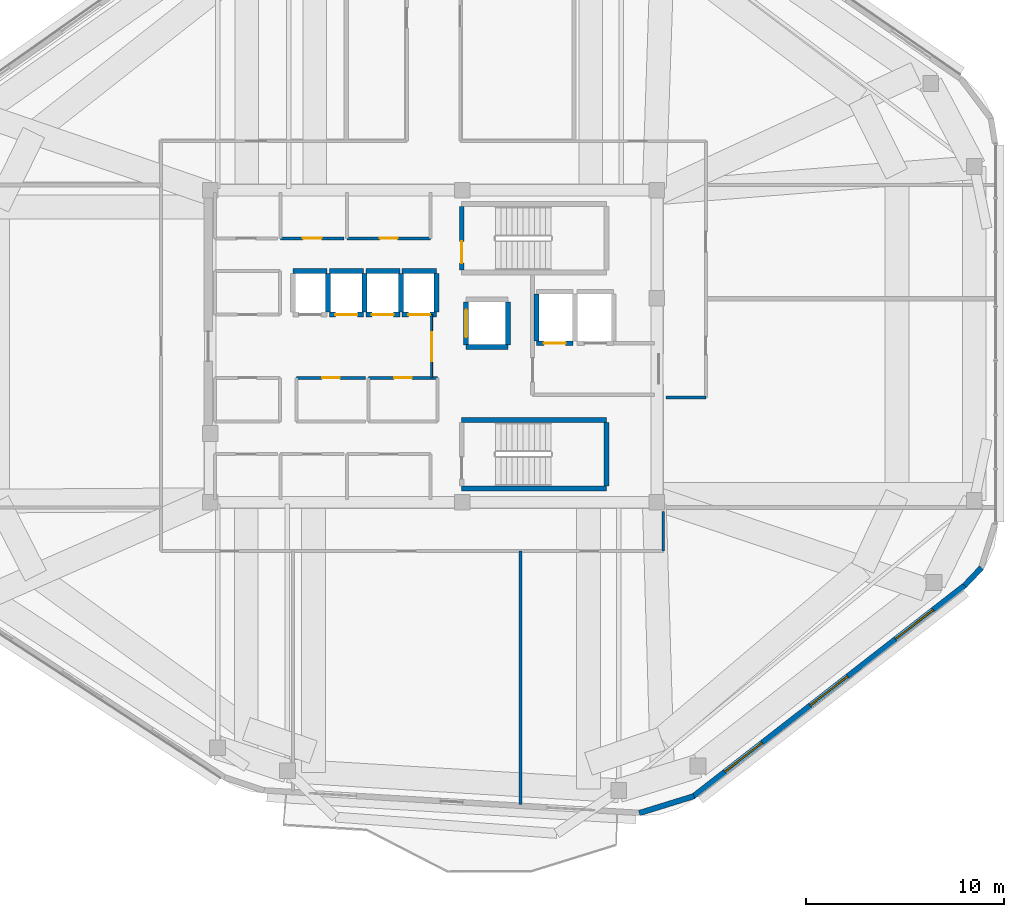
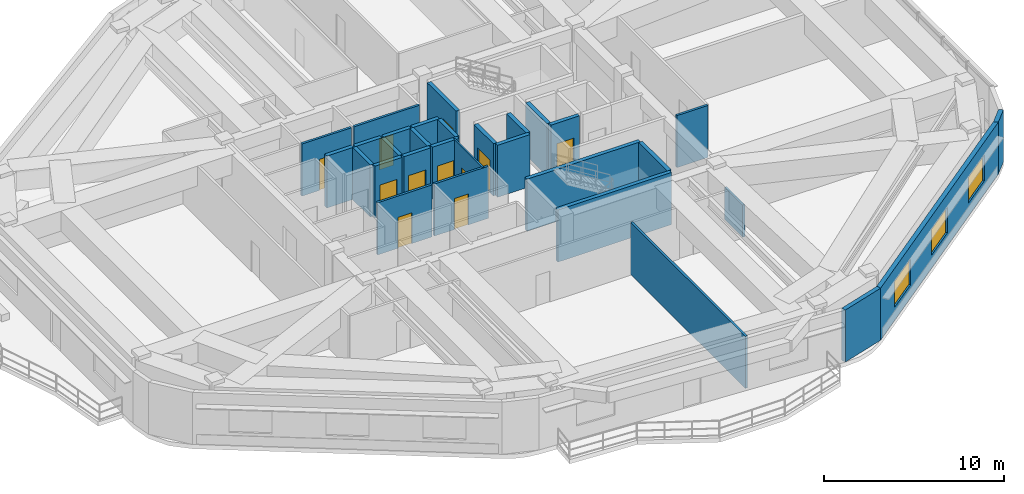
# One storey, part 10 of 15: 31 walls, 11 doors, 3 windows, 14 openings.
"""IFC4 building model written with IfcOpenShell, lengths in metres."""

from ifc_helpers import new_model, si_unit, direction, frame, frame_2d, origin, place, context, subcontext, project, spatial, rectangle, extrude, material, layer, layer_set, type_object, element, fill, save


model = new_model("IFC4")

# Units and contexts
model_context = context("Model", 3, precision=1e-05, world=origin(), true_north=direction((0.0, 1.0)))
body_context = subcontext(model_context, "Body", "Model", "MODEL_VIEW")
ifc_project = project(units=[si_unit("LENGTHUNIT", "METRE"), si_unit("AREAUNIT", "SQUARE_METRE"), si_unit("VOLUMEUNIT", "CUBIC_METRE"), si_unit("PLANEANGLEUNIT", "RADIAN"), si_unit("MASSUNIT", "GRAM", prefix="KILO")], contexts=[model_context])

# Site, building, storey
site_placement = place(None, origin())
site = spatial("IfcSite", under=ifc_project, at=site_placement, CompositionType="ELEMENT")
building_placement = place(site_placement, origin())
building = spatial("IfcBuilding", under=site, at=building_placement, Name="Zulverin Broadcast Headquarters", CompositionType="ELEMENT")
storey_placement = place(building_placement, frame((0.0, 0.0, 270.60009765625)))
storey = spatial("IfcBuildingStorey", under=building, at=storey_placement, Name="L69", CompositionType="ELEMENT", Elevation=270.60009765625)

# Wall, openings, windows
ifc_material_1 = material(Name="Insulated pale-metal clad concrete spandrel C40/50", Category="concrete")
ifc_layer_1 = layer(ifc_material_1, 0.280029296875, Name="Insulated pale-metal clad concrete spandrel C40/50", Category="concrete")
ifc_layer_set_1 = layer_set([ifc_layer_1], Name="Insulated pale-metal clad concrete spandrel C40/50")
wall_type_1 = type_object("IfcWallType", Name="WL-EXT-280", PredefinedType="STANDARD", material=ifc_layer_set_1)
wall_1_placement = place(storey_placement, frame((50.10400390625, 2.458984375, 0.0), z_axis=(0.0, 0.0, 1.0), x_axis=(0.789464857485, 0.613795763097, 0.0)))
wall_1 = element("IfcWall", 1, at=wall_1_placement, inside=storey, type_object=wall_type_1, Name="L69 Pale-Metal Clad Spandrel Wall 2", PredefinedType="STANDARD", context=body_context, shape_type="SweptSolid", body=[
    extrude(rectangle(XDim=17.387451171875, YDim=0.280029296875, at=frame_2d((8.69384765625, 0.0))), origin(), (0.0, 0.0, 1.0), 3.539794921875),
])
opening_1_placement = place(wall_1_placement, frame((2.03125, 0.0, 0.89990234375)))
opening_1 = element("IfcOpeningElement", 2, at=opening_1_placement, cuts=wall_1, Name="Opening W-L69-E21", PredefinedType="OPENING", context=body_context, shape_type="SweptSolid", body=[
    extrude(rectangle(XDim=2.39990234375, YDim=1.75, at=frame_2d((1.199951171875, 0.875))), frame((0.0, 0.14990234375, 0.0), z_axis=(0.0, -1.0, 0.0), x_axis=(1.0, 0.0, 0.0)), (0.0, 0.0, 1.0), 0.300048828125),
])
opening_2_placement = place(wall_1_placement, frame((7.49365234375, 0.0, 0.89990234375)))
opening_2 = element("IfcOpeningElement", 3, at=opening_2_placement, cuts=wall_1, Name="Opening W-L69-E22", PredefinedType="OPENING", context=body_context, shape_type="SweptSolid", body=[
    extrude(rectangle(XDim=2.39990234375, YDim=1.75, at=frame_2d((1.199951171875, 0.875))), frame((0.0, 0.14990234375, 0.0), z_axis=(0.0, -1.0, 0.0), x_axis=(1.0, 0.0, 0.0)), (0.0, 0.0, 1.0), 0.300048828125),
])
opening_3_placement = place(wall_1_placement, frame((12.956298828125, 0.0, 0.89990234375)))
opening_3 = element("IfcOpeningElement", 4, at=opening_3_placement, cuts=wall_1, Name="Opening W-L69-E23", PredefinedType="OPENING", context=body_context, shape_type="SweptSolid", body=[
    extrude(rectangle(XDim=2.39990234375, YDim=1.75, at=frame_2d((1.199951171875, 0.875))), frame((0.0, 0.14990234375, 0.0), z_axis=(0.0, -1.0, 0.0), x_axis=(1.0, 0.0, 0.0)), (0.0, 0.0, 1.0), 0.300048828125),
])
ifc_material_2 = material(Name="Pale anodized aluminium frame with solar-control low-E double glazing", Category="aluminium")
window_type = type_object("IfcWindowType", Name="WIN-RIB-2400", PartitioningType="SINGLE_PANEL", PredefinedType="WINDOW", material=ifc_material_2)
window_1_placement = place(opening_1_placement, origin())
window_1 = element("IfcWindow", 5, at=window_1_placement, inside=storey, type_object=window_type, Name="L69 Ribbon Glazing Window 2 1", OverallHeight=1.75, OverallWidth=2.39990234375, PartitioningType="SINGLE_PANEL", PredefinedType="WINDOW", context=body_context, shape_type="SweptSolid", body=[
    extrude(rectangle(XDim=2.39990234375, YDim=1.75, at=frame_2d((1.199951171875, 0.875))), frame((0.0, 0.030029296875, 0.0), z_axis=(0.0, -1.0, 0.0), x_axis=(1.0, 0.0, 0.0)), (0.0, 0.0, 1.0), 0.06005859375),
])
fill(opening_1, window_1)
window_2_placement = place(opening_2_placement, origin())
window_2 = element("IfcWindow", 6, at=window_2_placement, inside=storey, type_object=window_type, Name="L69 Ribbon Glazing Window 2 2", OverallHeight=1.75, OverallWidth=2.39990234375, PartitioningType="SINGLE_PANEL", PredefinedType="WINDOW", context=body_context, shape_type="SweptSolid", body=[
    extrude(rectangle(XDim=2.39990234375, YDim=1.75, at=frame_2d((1.199951171875, 0.875))), frame((0.0, 0.030029296875, 0.0), z_axis=(0.0, -1.0, 0.0), x_axis=(1.0, 0.0, 0.0)), (0.0, 0.0, 1.0), 0.06005859375),
])
fill(opening_2, window_2)
window_3_placement = place(opening_3_placement, origin())
window_3 = element("IfcWindow", 7, at=window_3_placement, inside=storey, type_object=window_type, Name="L69 Ribbon Glazing Window 2 3", OverallHeight=1.75, OverallWidth=2.39990234375, PartitioningType="SINGLE_PANEL", PredefinedType="WINDOW", context=body_context, shape_type="SweptSolid", body=[
    extrude(rectangle(XDim=2.39990234375, YDim=1.75, at=frame_2d((1.199951171875, 0.875))), frame((0.0, 0.030029296875, 0.0), z_axis=(0.0, -1.0, 0.0), x_axis=(1.0, 0.0, 0.0)), (0.0, 0.0, 1.0), 0.06005859375),
])
fill(opening_3, window_3)

# Walls
wall_2_placement = place(storey_placement, frame((47.38623046875, 1.626220703125, 0.0), z_axis=(0.0, 0.0, 1.0), x_axis=(0.955189316149, 0.29599555793, 0.0)))
element("IfcWall", 8, at=wall_2_placement, inside=storey, type_object=wall_type_1, Name="L69 Wind-Shaped Corner Spandrel Wall 1-1", PredefinedType="STANDARD", context=body_context, shape_type="SweptSolid", body=[
    extrude(rectangle(XDim=2.891845703125, YDim=0.280029296875, at=frame_2d((1.44580078125, 0.0))), origin(), (0.0, 0.0, 1.0), 3.539794921875),
])
wall_3_placement = place(storey_placement, frame((63.81494140625, 13.1171875, 0.0), z_axis=(0.0, 0.0, 1.0), x_axis=(0.687733716128, 0.725963040176, 0.0)))
element("IfcWall", 9, at=wall_3_placement, inside=storey, type_object=wall_type_1, Name="L69 Wind-Shaped Corner Spandrel Wall 2-1", PredefinedType="STANDARD", context=body_context, shape_type="SweptSolid", body=[
    extrude(rectangle(XDim=1.239013671875, YDim=0.280029296875, at=frame_2d((0.61962890625, 0.0))), origin(), (0.0, 0.0, 1.0), 3.539794921875),
])

# Wall, opening, door
ifc_material_3 = material(Name="Fire-rated acoustic laminated glass screen", Category="glass")
ifc_layer_2 = layer(ifc_material_3, 0.10009765625, Name="Fire-rated acoustic laminated glass screen", Category="glass")
ifc_layer_set_2 = layer_set([ifc_layer_2], Name="Fire-rated acoustic laminated glass screen")
wall_type_2 = type_object("IfcWallType", Name="WL-GLAZ-100", PredefinedType="PARTITIONING", material=ifc_layer_set_2)
wall_4_placement = place(storey_placement, frame((36.89990234375, 23.60009765625, 0.0), z_axis=(0.0, 0.0, 1.0), x_axis=(0.0, 1.0, 0.0)))
wall_4 = element("IfcWall", 10, at=wall_4_placement, inside=storey, type_object=wall_type_2, Name="L69 Core Goods & Stair Hall Screen", PredefinedType="PARTITIONING", context=body_context, shape_type="SweptSolid", body=[
    extrude(rectangle(XDim=3.199951171875, YDim=0.10009765625, at=frame_2d((1.60009765625, 0.0))), origin(), (0.0, 0.0, 1.0), 3.539794921875),
])
opening_4_placement = place(wall_4_placement, frame((0.85009765625, 0.0, 0.0)))
opening_4 = element("IfcOpeningElement", 11, at=opening_4_placement, cuts=wall_4, Name="Opening D-L69-CL3", PredefinedType="OPENING", context=body_context, shape_type="SweptSolid", body=[
    extrude(rectangle(XDim=1.449951171875, YDim=2.1201171875, at=frame_2d((0.72509765625, 1.06005859375))), frame((0.0, 0.06005859375, 0.0), z_axis=(0.0, -1.0, 0.0), x_axis=(1.0, 0.0, 0.0)), (0.0, 0.0, 1.0), 0.1201171875),
])
ifc_material_4 = material(Name="Fire-rated acoustic glazed double leaf", Category="glass")
door_type_1 = type_object("IfcDoorType", Name="DR-GLZ-1450", OperationType="DOUBLE_DOOR_SINGLE_SWING", PredefinedType="DOOR", material=ifc_material_4)
door_1_placement = place(opening_4_placement, origin())
door_1 = element("IfcDoor", 12, at=door_1_placement, inside=storey, type_object=door_type_1, Name="L69 Core Goods & Stair Hall Door", OperationType="DOUBLE_DOOR_SINGLE_SWING", OverallHeight=2.1201171875, OverallWidth=1.449951171875, PredefinedType="DOOR", context=body_context, shape_type="SweptSolid", body=[
    extrude(rectangle(XDim=1.449951171875, YDim=2.1201171875, at=frame_2d((0.72509765625, 1.06005859375))), frame((0.0, 0.02490234375, 0.0), z_axis=(0.0, -1.0, 0.0), x_axis=(1.0, 0.0, 0.0)), (0.0, 0.0, 1.0), 0.050048828125),
])
fill(opening_4, door_1)

ifc_material_5 = material(Name="Fire-rated gypsum stud partition", Category="gypsum")
ifc_layer_3 = layer(ifc_material_5, 0.14990234375, Name="Fire-rated gypsum stud partition", Category="gypsum")
ifc_layer_set_3 = layer_set([ifc_layer_3], Name="Fire-rated gypsum stud partition")
wall_type_3 = type_object("IfcWallType", Name="WL-PART-150", PredefinedType="PARTITIONING", material=ifc_layer_set_3)
wall_5_placement = place(storey_placement, frame((29.280029296875, 30.64990234375, 0.0), z_axis=(0.0, 0.0, 1.0), x_axis=(1.0, 0.0, 0.0)))
wall_5 = element("IfcWall", 13, at=wall_5_placement, inside=storey, type_object=wall_type_3, Name="L69 Core Accessible WC Front Wall", PredefinedType="PARTITIONING", context=body_context, shape_type="SweptSolid", body=[
    extrude(rectangle(XDim=3.18994140625, YDim=0.14990234375, at=frame_2d((1.594970703125, 0.0))), origin(), (0.0, 0.0, 1.0), 3.539794921875),
])
opening_5_placement = place(wall_5_placement, frame((1.1201171875, 0.0, 0.0)))
opening_5 = element("IfcOpeningElement", 14, at=opening_5_placement, cuts=wall_5, Name="Opening D-L69-NC2", PredefinedType="OPENING", context=body_context, shape_type="SweptSolid", body=[
    extrude(rectangle(XDim=0.949951171875, YDim=2.10009765625, at=frame_2d((0.47509765625, 1.050048828125))), frame((0.0, 0.0849609375, 0.0), z_axis=(0.0, -1.0, 0.0), x_axis=(1.0, 0.0, 0.0)), (0.0, 0.0, 1.0), 0.169921875),
])
ifc_material_6 = material(Name="Fire-rated moisture-resistant laminate leaf", Category="wood")
door_type_2 = type_object("IfcDoorType", Name="DR-WC-950", OperationType="SINGLE_SWING_LEFT", PredefinedType="DOOR", material=ifc_material_6)
door_2_placement = place(opening_5_placement, origin())
door_2 = element("IfcDoor", 15, at=door_2_placement, inside=storey, type_object=door_type_2, Name="L69 Accessible WC Door", OperationType="SINGLE_SWING_RIGHT", OverallHeight=2.10009765625, OverallWidth=0.949951171875, PredefinedType="DOOR", context=body_context, shape_type="SweptSolid", body=[
    extrude(rectangle(XDim=0.949951171875, YDim=2.10009765625, at=frame_2d((0.47509765625, 1.050048828125))), frame((0.0, 0.02490234375, 0.0), z_axis=(0.0, -1.0, 0.0), x_axis=(1.0, 0.0, 0.0)), (0.0, 0.0, 1.0), 0.050048828125),
])
fill(opening_5, door_2)

wall_6_placement = place(storey_placement, frame((32.6298828125, 30.64990234375, 0.0), z_axis=(0.0, 0.0, 1.0), x_axis=(1.0, 0.0, 0.0)))
wall_6 = element("IfcWall", 16, at=wall_6_placement, inside=storey, type_object=wall_type_3, Name="L69 Core Electrical Distribution Riser Front Wall", PredefinedType="PARTITIONING", context=body_context, shape_type="SweptSolid", body=[
    extrude(rectangle(XDim=4.22021484375, YDim=0.14990234375, at=frame_2d((2.110107421875, 0.0))), origin(), (0.0, 0.0, 1.0), 3.539794921875),
])
opening_6_placement = place(wall_6_placement, frame((1.659912109375, 0.0, 0.0)))
opening_6 = element("IfcOpeningElement", 17, at=opening_6_placement, cuts=wall_6, Name="Opening D-L69-NC3", PredefinedType="OPENING", context=body_context, shape_type="SweptSolid", body=[
    extrude(rectangle(XDim=0.89990234375, YDim=2.10009765625, at=frame_2d((0.449951171875, 1.050048828125))), frame((0.0, 0.0849609375, 0.0), z_axis=(0.0, -1.0, 0.0), x_axis=(1.0, 0.0, 0.0)), (0.0, 0.0, 1.0), 0.169921875),
])
ifc_material_7 = material(Name="Powder-coated steel access leaf", Category="steel")
door_type_3 = type_object("IfcDoorType", Name="DR-RISER-900", OperationType="SINGLE_SWING_LEFT", PredefinedType="DOOR", material=ifc_material_7)
door_3_placement = place(opening_6_placement, origin())
door_3 = element("IfcDoor", 18, at=door_3_placement, inside=storey, type_object=door_type_3, Name="L69 Electrical Distribution Riser Door", OperationType="SINGLE_SWING_LEFT", OverallHeight=2.10009765625, OverallWidth=0.89990234375, PredefinedType="DOOR", context=body_context, shape_type="SweptSolid", body=[
    extrude(rectangle(XDim=0.89990234375, YDim=2.10009765625, at=frame_2d((0.449951171875, 1.050048828125))), frame((0.0, 0.02490234375, 0.0), z_axis=(0.0, -1.0, 0.0), x_axis=(1.0, 0.0, 0.0)), (0.0, 0.0, 1.0), 0.050048828125),
])
fill(opening_6, door_3)

wall_7_placement = place(storey_placement, frame((30.080078125, 23.60009765625, 0.0), z_axis=(0.0, 0.0, 1.0), x_axis=(1.0, 0.0, 0.0)))
wall_7 = element("IfcWall", 19, at=wall_7_placement, inside=storey, type_object=wall_type_3, Name="L69 High-Zone Archive Vault Store N Wall", PredefinedType="PARTITIONING", context=body_context, shape_type="SweptSolid", body=[
    extrude(rectangle(XDim=3.47998046875, YDim=0.14990234375, at=frame_2d((1.739990234375, 0.0))), origin(), (0.0, 0.0, 1.0), 3.539794921875),
])
opening_7_placement = place(wall_7_placement, frame((1.2900390625, 0.0, 0.0)))
opening_7 = element("IfcOpeningElement", 20, at=opening_7_placement, cuts=wall_7, Name="Opening D-L69-RM1", PredefinedType="OPENING", context=body_context, shape_type="SweptSolid", body=[
    extrude(rectangle(XDim=0.89990234375, YDim=2.10009765625, at=frame_2d((0.449951171875, 1.050048828125))), frame((0.0, 0.0849609375, 0.0), z_axis=(0.0, -1.0, 0.0), x_axis=(1.0, 0.0, 0.0)), (0.0, 0.0, 1.0), 0.169921875),
])
door_4_placement = place(opening_7_placement, origin())
door_4 = element("IfcDoor", 21, at=door_4_placement, inside=storey, type_object=door_type_3, Name="L69 High-Zone Archive Vault Store Door", OperationType="SINGLE_SWING_LEFT", OverallHeight=2.10009765625, OverallWidth=0.89990234375, PredefinedType="DOOR", context=body_context, shape_type="SweptSolid", body=[
    extrude(rectangle(XDim=0.89990234375, YDim=2.10009765625, at=frame_2d((0.449951171875, 1.050048828125))), frame((0.0, 0.02490234375, 0.0), z_axis=(0.0, -1.0, 0.0), x_axis=(1.0, 0.0, 0.0)), (0.0, 0.0, 1.0), 0.050048828125),
])
fill(opening_7, door_4)

wall_8_placement = place(storey_placement, frame((33.719970703125, 23.60009765625, 0.0), z_axis=(0.0, 0.0, 1.0), x_axis=(1.0, 0.0, 0.0)))
wall_8 = element("IfcWall", 22, at=wall_8_placement, inside=storey, type_object=wall_type_3, Name="L69 Executive Floor Pantry Store N Wall", PredefinedType="PARTITIONING", context=body_context, shape_type="SweptSolid", body=[
    extrude(rectangle(XDim=3.47998046875, YDim=0.14990234375, at=frame_2d((1.739990234375, 0.0))), origin(), (0.0, 0.0, 1.0), 3.539794921875),
])
opening_8_placement = place(wall_8_placement, frame((1.2900390625, 0.0, 0.0)))
opening_8 = element("IfcOpeningElement", 23, at=opening_8_placement, cuts=wall_8, Name="Opening D-L69-RM2", PredefinedType="OPENING", context=body_context, shape_type="SweptSolid", body=[
    extrude(rectangle(XDim=0.89990234375, YDim=2.10009765625, at=frame_2d((0.449951171875, 1.050048828125))), frame((0.0, 0.0849609375, 0.0), z_axis=(0.0, -1.0, 0.0), x_axis=(1.0, 0.0, 0.0)), (0.0, 0.0, 1.0), 0.169921875),
])
door_5_placement = place(opening_8_placement, origin())
door_5 = element("IfcDoor", 24, at=door_5_placement, inside=storey, type_object=door_type_3, Name="L69 Executive Floor Pantry Store Door", OperationType="SINGLE_SWING_RIGHT", OverallHeight=2.10009765625, OverallWidth=0.89990234375, PredefinedType="DOOR", context=body_context, shape_type="SweptSolid", body=[
    extrude(rectangle(XDim=0.89990234375, YDim=2.10009765625, at=frame_2d((0.449951171875, 1.050048828125))), frame((0.0, 0.02490234375, 0.0), z_axis=(0.0, -1.0, 0.0), x_axis=(1.0, 0.0, 0.0)), (0.0, 0.0, 1.0), 0.050048828125),
])
fill(opening_8, door_5)

# Walls
wall_9_placement = place(storey_placement, frame((48.60009765625, 14.85009765625, 0.0), z_axis=(0.0, 0.0, 1.0), x_axis=(0.0, 1.0, 0.0)))
element("IfcWall", 25, at=wall_9_placement, inside=storey, type_object=wall_type_3, Name="L69 Gallery Partition Wall CG-02", PredefinedType="PARTITIONING", context=body_context, shape_type="SweptSolid", body=[
    extrude(rectangle(XDim=2.010009765625, YDim=0.14990234375, at=frame_2d((1.0048828125, 0.0))), origin(), (0.0, 0.0, 1.0), 2.18994140625),
])
wall_10_placement = place(storey_placement, frame((41.39990234375, 2.0595703125, 0.0), z_axis=(0.0, 0.0, 1.0), x_axis=(0.0, 1.0, 0.0)))
element("IfcWall", 26, at=wall_10_placement, inside=storey, type_object=wall_type_3, Name="L69 Room Partition Wall RP-04", PredefinedType="PARTITIONING", context=body_context, shape_type="SweptSolid", body=[
    extrude(rectangle(XDim=12.79052734375, YDim=0.14990234375, at=frame_2d((6.395263671875, 0.0))), origin(), (0.0, 0.0, 1.0), 3.539794921875),
])
wall_11_placement = place(storey_placement, frame((48.739990234375, 22.60009765625, 0.0), z_axis=(0.0, 0.0, 1.0), x_axis=(1.0, 0.0, 0.0)))
element("IfcWall", 27, at=wall_11_placement, inside=storey, type_object=wall_type_3, Name="L69 Gallery Partition Wall CG-13", PredefinedType="PARTITIONING", context=body_context, shape_type="SweptSolid", body=[
    extrude(rectangle(XDim=2.010009765625, YDim=0.14990234375, at=frame_2d((1.0048828125, 0.0))), origin(), (0.0, 0.0, 1.0), 3.539794921875),
])

# Wall, opening, door
ifc_material_8 = material(Name="Concrete C50/60", Category="concrete")
ifc_layer_4 = layer(ifc_material_8, 0.25, Name="Concrete C50/60", Category="concrete")
ifc_layer_set_4 = layer_set([ifc_layer_4], Name="Concrete C50/60")
wall_type_4 = type_object("IfcWallType", Name="WL-SHAFT-250", PredefinedType="SHEAR", material=ifc_layer_set_4)
wall_12_placement = place(storey_placement, frame((38.425048828125, 29.050048828125, 0.0), z_axis=(0.0, 0.0, 1.0), x_axis=(0.0, 1.0, 0.0)))
wall_12 = element("IfcWall", 28, at=wall_12_placement, inside=storey, type_object=wall_type_4, Name="L69 ST-1 Enclosure Wall W", PredefinedType="SHEAR", context=body_context, shape_type="SweptSolid", body=[
    extrude(rectangle(XDim=3.199951171875, YDim=0.25, at=frame_2d((1.60009765625, 0.0))), origin(), (0.0, 0.0, 1.0), 3.539794921875),
])
opening_9_placement = place(wall_12_placement, frame((0.35009765625, 0.0, 0.0)))
opening_9 = element("IfcOpeningElement", 29, at=opening_9_placement, cuts=wall_12, Name="Opening D-L69-ST-1", PredefinedType="OPENING", context=body_context, shape_type="SweptSolid", body=[
    extrude(rectangle(XDim=1.10009765625, YDim=2.14990234375, at=frame_2d((0.550048828125, 1.074951171875))), frame((0.0, 0.135009765625, 0.0), z_axis=(0.0, -1.0, 0.0), x_axis=(1.0, 0.0, 0.0)), (0.0, 0.0, 1.0), 0.27001953125),
])
ifc_material_9 = material(Name="Fire-rated steel leaf and frame", Category="steel")
door_type_4 = type_object("IfcDoorType", Name="DR-STAIR-1100", OperationType="SINGLE_SWING_LEFT", PredefinedType="DOOR", material=ifc_material_9)
door_6_placement = place(opening_9_placement, origin())
door_6 = element("IfcDoor", 30, at=door_6_placement, inside=storey, type_object=door_type_4, Name="L69 Exit Stair ST-1 Fire Door", OperationType="SINGLE_SWING_LEFT", OverallHeight=2.14990234375, OverallWidth=1.10009765625, PredefinedType="DOOR", context=body_context, shape_type="SweptSolid", body=[
    extrude(rectangle(XDim=1.10009765625, YDim=2.14990234375, at=frame_2d((0.550048828125, 1.074951171875))), frame((0.0, 0.02490234375, 0.0), z_axis=(0.0, -1.0, 0.0), x_axis=(1.0, 0.0, 0.0)), (0.0, 0.0, 1.0), 0.050048828125),
])
fill(opening_9, door_6)

# Walls
for number, where, z_axis, x_axis, name in (
    (31, (38.425048828125, 18.02490234375, 0.0), (0.0, 0.0, 1.0), (1.0, 0.0, 0.0), "L69 ST-2 Enclosure Wall S"),
    (32, (38.425048828125, 21.47509765625, 0.0), (0.0, 0.0, 1.0), (1.0, 0.0, 0.0), "L69 ST-2 Enclosure Wall N"),
):
    element("IfcWall", number, at=place(storey_placement, frame(where, z_axis=z_axis, x_axis=x_axis)), inside=storey, type_object=wall_type_4, Name=name, PredefinedType="SHEAR", context=body_context, shape_type="SweptSolid", body=[
        extrude(rectangle(XDim=7.300048828125, YDim=0.25, at=frame_2d((3.64990234375, 0.0))), origin(), (0.0, 0.0, 1.0), 3.539794921875),
    ])
wall_13_placement = place(storey_placement, frame((45.72509765625, 18.14990234375, 0.0), z_axis=(0.0, 0.0, 1.0), x_axis=(0.0, 1.0, 0.0)))
element("IfcWall", 33, at=wall_13_placement, inside=storey, type_object=wall_type_4, Name="L69 ST-2 Enclosure Wall E", PredefinedType="SHEAR", context=body_context, shape_type="SweptSolid", body=[
    extrude(rectangle(XDim=3.2001953125, YDim=0.25, at=frame_2d((1.60009765625, 0.0))), origin(), (0.0, 0.0, 1.0), 3.539794921875),
])
wall_14_placement = place(storey_placement, frame((29.89990234375, 29.0, 0.0), z_axis=(0.0, 0.0, 1.0), x_axis=(1.0, 0.0, 0.0)))
element("IfcWall", 34, at=wall_14_placement, inside=storey, type_object=wall_type_4, Name="L69 Lift PL-H1 Shaft Wall N", PredefinedType="SHEAR", context=body_context, shape_type="SweptSolid", body=[
    extrude(rectangle(XDim=1.72021484375, YDim=0.25, at=frame_2d((0.860107421875, 0.0))), origin(), (0.0, 0.0, 1.0), 3.539794921875),
])
wall_15_placement = place(storey_placement, frame((31.679931640625, 26.919921875, 0.0), z_axis=(0.0, 0.0, 1.0), x_axis=(0.0, 1.0, 0.0)))
element("IfcWall", 35, at=wall_15_placement, inside=storey, type_object=wall_type_4, Name="L69 Lift PL-H1 Shaft Wall E", PredefinedType="SHEAR", context=body_context, shape_type="SweptSolid", body=[
    extrude(rectangle(XDim=1.9599609375, YDim=0.25, at=frame_2d((0.97998046875, 0.0))), origin(), (0.0, 0.0, 1.0), 3.539794921875),
])

# Wall, opening, door
wall_16_placement = place(storey_placement, frame((31.739990234375, 26.800048828125, 0.0), z_axis=(0.0, 0.0, 1.0), x_axis=(1.0, 0.0, 0.0)))
wall_16 = element("IfcWall", 36, at=wall_16_placement, inside=storey, type_object=wall_type_4, Name="L69 Lift PL-H2 Shaft Wall S", PredefinedType="SHEAR", context=body_context, shape_type="SweptSolid", body=[
    extrude(rectangle(XDim=1.719970703125, YDim=0.25, at=frame_2d((0.85986328125, 0.0))), origin(), (0.0, 0.0, 1.0), 3.539794921875),
])
opening_10_placement = place(wall_16_placement, frame((0.31005859375, 0.0, 0.0)))
opening_10 = element("IfcOpeningElement", 37, at=opening_10_placement, cuts=wall_16, Name="Opening LD-PL-H2-L69", PredefinedType="OPENING", context=body_context, shape_type="SweptSolid", body=[
    extrude(rectangle(XDim=1.10009765625, YDim=2.14990234375, at=frame_2d((0.550048828125, 1.074951171875))), frame((0.0, 0.135009765625, 0.0), z_axis=(0.0, -1.0, 0.0), x_axis=(1.0, 0.0, 0.0)), (0.0, 0.0, 1.0), 0.27001953125),
])
ifc_material_10 = material(Name="Brushed stainless steel landing", Category="steel")
door_type_5 = type_object("IfcDoorType", Name="LD-PASS-1100", OperationType="DOUBLE_DOOR_SLIDING", PredefinedType="DOOR", material=ifc_material_10)
door_7_placement = place(opening_10_placement, origin())
door_7 = element("IfcDoor", 38, at=door_7_placement, inside=storey, type_object=door_type_5, Name="L69 Lift PL-H2 Sliding Landing Door", OperationType="DOUBLE_DOOR_SLIDING", OverallHeight=2.14990234375, OverallWidth=1.10009765625, PredefinedType="DOOR", context=body_context, shape_type="SweptSolid", body=[
    extrude(rectangle(XDim=1.10009765625, YDim=2.14990234375, at=frame_2d((0.550048828125, 1.074951171875))), frame((0.0, 0.02490234375, 0.0), z_axis=(0.0, -1.0, 0.0), x_axis=(1.0, 0.0, 0.0)), (0.0, 0.0, 1.0), 0.050048828125),
])
fill(opening_10, door_7)

# Walls
wall_17_placement = place(storey_placement, frame((31.739990234375, 29.0, 0.0), z_axis=(0.0, 0.0, 1.0), x_axis=(1.0, 0.0, 0.0)))
element("IfcWall", 39, at=wall_17_placement, inside=storey, type_object=wall_type_4, Name="L69 Lift PL-H2 Shaft Wall N", PredefinedType="SHEAR", context=body_context, shape_type="SweptSolid", body=[
    extrude(rectangle(XDim=1.719970703125, YDim=0.25, at=frame_2d((0.85986328125, 0.0))), origin(), (0.0, 0.0, 1.0), 3.539794921875),
])
wall_18_placement = place(storey_placement, frame((33.52001953125, 26.919921875, 0.0), z_axis=(0.0, 0.0, 1.0), x_axis=(0.0, 1.0, 0.0)))
element("IfcWall", 40, at=wall_18_placement, inside=storey, type_object=wall_type_4, Name="L69 Lift PL-H2 Shaft Wall E", PredefinedType="SHEAR", context=body_context, shape_type="SweptSolid", body=[
    extrude(rectangle(XDim=1.9599609375, YDim=0.25, at=frame_2d((0.97998046875, 0.0))), origin(), (0.0, 0.0, 1.0), 3.539794921875),
])

# Wall, opening, door
wall_19_placement = place(storey_placement, frame((33.580078125, 26.800048828125, 0.0), z_axis=(0.0, 0.0, 1.0), x_axis=(1.0, 0.0, 0.0)))
wall_19 = element("IfcWall", 41, at=wall_19_placement, inside=storey, type_object=wall_type_4, Name="L69 Lift PL-H3 Shaft Wall S", PredefinedType="SHEAR", context=body_context, shape_type="SweptSolid", body=[
    extrude(rectangle(XDim=1.719970703125, YDim=0.25, at=frame_2d((0.85986328125, 0.0))), origin(), (0.0, 0.0, 1.0), 3.539794921875),
])
opening_11_placement = place(wall_19_placement, frame((0.31005859375, 0.0, 0.0)))
opening_11 = element("IfcOpeningElement", 42, at=opening_11_placement, cuts=wall_19, Name="Opening LD-PL-H3-L69", PredefinedType="OPENING", context=body_context, shape_type="SweptSolid", body=[
    extrude(rectangle(XDim=1.10009765625, YDim=2.14990234375, at=frame_2d((0.550048828125, 1.074951171875))), frame((0.0, 0.135009765625, 0.0), z_axis=(0.0, -1.0, 0.0), x_axis=(1.0, 0.0, 0.0)), (0.0, 0.0, 1.0), 0.27001953125),
])
door_8_placement = place(opening_11_placement, origin())
door_8 = element("IfcDoor", 43, at=door_8_placement, inside=storey, type_object=door_type_5, Name="L69 Lift PL-H3 Sliding Landing Door", OperationType="DOUBLE_DOOR_SLIDING", OverallHeight=2.14990234375, OverallWidth=1.10009765625, PredefinedType="DOOR", context=body_context, shape_type="SweptSolid", body=[
    extrude(rectangle(XDim=1.10009765625, YDim=2.14990234375, at=frame_2d((0.550048828125, 1.074951171875))), frame((0.0, 0.02490234375, 0.0), z_axis=(0.0, -1.0, 0.0), x_axis=(1.0, 0.0, 0.0)), (0.0, 0.0, 1.0), 0.050048828125),
])
fill(opening_11, door_8)

# Walls
wall_20_placement = place(storey_placement, frame((33.580078125, 29.0, 0.0), z_axis=(0.0, 0.0, 1.0), x_axis=(1.0, 0.0, 0.0)))
element("IfcWall", 44, at=wall_20_placement, inside=storey, type_object=wall_type_4, Name="L69 Lift PL-H3 Shaft Wall N", PredefinedType="SHEAR", context=body_context, shape_type="SweptSolid", body=[
    extrude(rectangle(XDim=1.719970703125, YDim=0.25, at=frame_2d((0.85986328125, 0.0))), origin(), (0.0, 0.0, 1.0), 3.539794921875),
])
wall_21_placement = place(storey_placement, frame((35.360107421875, 26.919921875, 0.0), z_axis=(0.0, 0.0, 1.0), x_axis=(0.0, 1.0, 0.0)))
element("IfcWall", 45, at=wall_21_placement, inside=storey, type_object=wall_type_4, Name="L69 Lift PL-H3 Shaft Wall E", PredefinedType="SHEAR", context=body_context, shape_type="SweptSolid", body=[
    extrude(rectangle(XDim=1.9599609375, YDim=0.25, at=frame_2d((0.97998046875, 0.0))), origin(), (0.0, 0.0, 1.0), 3.539794921875),
])

# Wall, opening, door
wall_22_placement = place(storey_placement, frame((35.419921875, 26.800048828125, 0.0), z_axis=(0.0, 0.0, 1.0), x_axis=(1.0, 0.0, 0.0)))
wall_22 = element("IfcWall", 46, at=wall_22_placement, inside=storey, type_object=wall_type_4, Name="L69 Lift PL-H4 Shaft Wall S", PredefinedType="SHEAR", context=body_context, shape_type="SweptSolid", body=[
    extrude(rectangle(XDim=1.719970703125, YDim=0.25, at=frame_2d((0.85986328125, 0.0))), origin(), (0.0, 0.0, 1.0), 3.539794921875),
])
opening_12_placement = place(wall_22_placement, frame((0.31005859375, 0.0, 0.0)))
opening_12 = element("IfcOpeningElement", 47, at=opening_12_placement, cuts=wall_22, Name="Opening LD-PL-H4-L69", PredefinedType="OPENING", context=body_context, shape_type="SweptSolid", body=[
    extrude(rectangle(XDim=1.10009765625, YDim=2.14990234375, at=frame_2d((0.550048828125, 1.074951171875))), frame((0.0, 0.135009765625, 0.0), z_axis=(0.0, -1.0, 0.0), x_axis=(1.0, 0.0, 0.0)), (0.0, 0.0, 1.0), 0.27001953125),
])
door_9_placement = place(opening_12_placement, origin())
door_9 = element("IfcDoor", 48, at=door_9_placement, inside=storey, type_object=door_type_5, Name="L69 Lift PL-H4 Sliding Landing Door", OperationType="DOUBLE_DOOR_SLIDING", OverallHeight=2.14990234375, OverallWidth=1.10009765625, PredefinedType="DOOR", context=body_context, shape_type="SweptSolid", body=[
    extrude(rectangle(XDim=1.10009765625, YDim=2.14990234375, at=frame_2d((0.550048828125, 1.074951171875))), frame((0.0, 0.02490234375, 0.0), z_axis=(0.0, -1.0, 0.0), x_axis=(1.0, 0.0, 0.0)), (0.0, 0.0, 1.0), 0.050048828125),
])
fill(opening_12, door_9)

# Walls
wall_23_placement = place(storey_placement, frame((35.419921875, 29.0, 0.0), z_axis=(0.0, 0.0, 1.0), x_axis=(1.0, 0.0, 0.0)))
element("IfcWall", 49, at=wall_23_placement, inside=storey, type_object=wall_type_4, Name="L69 Lift PL-H4 Shaft Wall N", PredefinedType="SHEAR", context=body_context, shape_type="SweptSolid", body=[
    extrude(rectangle(XDim=1.719970703125, YDim=0.25, at=frame_2d((0.85986328125, 0.0))), origin(), (0.0, 0.0, 1.0), 3.539794921875),
])
wall_24_placement = place(storey_placement, frame((37.139892578125, 26.919921875, 0.0), z_axis=(0.0, 0.0, 1.0), x_axis=(0.0, 1.0, 0.0)))
element("IfcWall", 50, at=wall_24_placement, inside=storey, type_object=wall_type_4, Name="L69 Lift PL-H4 Shaft Wall E", PredefinedType="SHEAR", context=body_context, shape_type="SweptSolid", body=[
    extrude(rectangle(XDim=1.9599609375, YDim=0.25, at=frame_2d((0.97998046875, 0.0))), origin(), (0.0, 0.0, 1.0), 3.539794921875),
])

# Wall, opening, door
wall_25_placement = place(storey_placement, frame((42.199951171875, 25.35009765625, 0.0), z_axis=(0.0, 0.0, 1.0), x_axis=(1.0, 0.0, 0.0)))
wall_25 = element("IfcWall", 51, at=wall_25_placement, inside=storey, type_object=wall_type_4, Name="L69 Lift FFL-1 Shaft Wall S", PredefinedType="SHEAR", context=body_context, shape_type="SweptSolid", body=[
    extrude(rectangle(XDim=1.85009765625, YDim=0.25, at=frame_2d((0.925048828125, 0.0))), origin(), (0.0, 0.0, 1.0), 3.539794921875),
])
opening_13_placement = place(wall_25_placement, frame((0.375, 0.0, 0.0)))
opening_13 = element("IfcOpeningElement", 52, at=opening_13_placement, cuts=wall_25, Name="Opening LD-FFL-1-L69", PredefinedType="OPENING", context=body_context, shape_type="SweptSolid", body=[
    extrude(rectangle(XDim=1.10009765625, YDim=2.14990234375, at=frame_2d((0.550048828125, 1.074951171875))), frame((0.0, 0.135009765625, 0.0), z_axis=(0.0, -1.0, 0.0), x_axis=(1.0, 0.0, 0.0)), (0.0, 0.0, 1.0), 0.27001953125),
])
ifc_material_11 = material(Name="Fire-rated stainless landing door", Category="steel")
door_type_6 = type_object("IfcDoorType", Name="LD-FFL-1100", OperationType="DOUBLE_DOOR_SLIDING", PredefinedType="DOOR", material=ifc_material_11)
door_10_placement = place(opening_13_placement, origin())
door_10 = element("IfcDoor", 53, at=door_10_placement, inside=storey, type_object=door_type_6, Name="L69 Lift FFL-1 Sliding Landing Door", OperationType="DOUBLE_DOOR_SLIDING", OverallHeight=2.14990234375, OverallWidth=1.10009765625, PredefinedType="DOOR", context=body_context, shape_type="SweptSolid", body=[
    extrude(rectangle(XDim=1.10009765625, YDim=2.14990234375, at=frame_2d((0.550048828125, 1.074951171875))), frame((0.0, 0.02490234375, 0.0), z_axis=(0.0, -1.0, 0.0), x_axis=(1.0, 0.0, 0.0)), (0.0, 0.0, 1.0), 0.050048828125),
])
fill(opening_13, door_10)

# Walls
wall_26_placement = place(storey_placement, frame((42.199951171875, 25.469970703125, 0.0), z_axis=(0.0, 0.0, 1.0), x_axis=(0.0, 1.0, 0.0)))
element("IfcWall", 54, at=wall_26_placement, inside=storey, type_object=wall_type_4, Name="L69 Lift FFL-1 Shaft Wall W", PredefinedType="SHEAR", context=body_context, shape_type="SweptSolid", body=[
    extrude(rectangle(XDim=2.360107421875, YDim=0.25, at=frame_2d((1.18017578125, 0.0))), origin(), (0.0, 0.0, 1.0), 3.539794921875),
])
wall_27_placement = place(storey_placement, frame((38.64990234375, 25.14990234375, 0.0), z_axis=(0.0, 0.0, 1.0), x_axis=(1.0, 0.0, 0.0)))
element("IfcWall", 55, at=wall_27_placement, inside=storey, type_object=wall_type_4, Name="L69 Lift SVL-1 Shaft Wall S", PredefinedType="SHEAR", context=body_context, shape_type="SweptSolid", body=[
    extrude(rectangle(XDim=2.10009765625, YDim=0.25, at=frame_2d((1.050048828125, 0.0))), origin(), (0.0, 0.0, 1.0), 3.539794921875),
])

# Wall, opening, door
wall_28_placement = place(storey_placement, frame((38.64990234375, 25.27001953125, 0.0), z_axis=(0.0, 0.0, 1.0), x_axis=(0.0, 1.0, 0.0)))
wall_28 = element("IfcWall", 56, at=wall_28_placement, inside=storey, type_object=wall_type_4, Name="L69 Lift SVL-1 Shaft Wall W", PredefinedType="SHEAR", context=body_context, shape_type="SweptSolid", body=[
    extrude(rectangle(XDim=2.159912109375, YDim=0.25, at=frame_2d((1.080078125, 0.0))), origin(), (0.0, 0.0, 1.0), 3.539794921875),
])
opening_14_placement = place(wall_28_placement, frame((0.3798828125, 0.0, 0.0)))
opening_14 = element("IfcOpeningElement", 57, at=opening_14_placement, cuts=wall_28, Name="Opening LD-SVL-1-L69", PredefinedType="OPENING", context=body_context, shape_type="SweptSolid", body=[
    extrude(rectangle(XDim=1.39990234375, YDim=2.199951171875, at=frame_2d((0.699951171875, 1.10009765625))), frame((0.0, 0.135009765625, 0.0), z_axis=(0.0, -1.0, 0.0), x_axis=(1.0, 0.0, 0.0)), (0.0, 0.0, 1.0), 0.27001953125),
])
ifc_material_12 = material(Name="Heavy-duty stainless landing door", Category="steel")
door_type_7 = type_object("IfcDoorType", Name="LD-GOODS-1400", OperationType="DOUBLE_DOOR_SLIDING", PredefinedType="DOOR", material=ifc_material_12)
door_11_placement = place(opening_14_placement, origin())
door_11 = element("IfcDoor", 58, at=door_11_placement, inside=storey, type_object=door_type_7, Name="L69 Lift SVL-1 Sliding Landing Door", OperationType="DOUBLE_DOOR_SLIDING", OverallHeight=2.199951171875, OverallWidth=1.39990234375, PredefinedType="DOOR", context=body_context, shape_type="SweptSolid", body=[
    extrude(rectangle(XDim=1.39990234375, YDim=2.199951171875, at=frame_2d((0.699951171875, 1.10009765625))), frame((0.0, 0.02490234375, 0.0), z_axis=(0.0, -1.0, 0.0), x_axis=(1.0, 0.0, 0.0)), (0.0, 0.0, 1.0), 0.050048828125),
])
fill(opening_14, door_11)

# Wall
wall_29_placement = place(storey_placement, frame((40.75, 25.27001953125, 0.0), z_axis=(0.0, 0.0, 1.0), x_axis=(0.0, 1.0, 0.0)))
element("IfcWall", 59, at=wall_29_placement, inside=storey, type_object=wall_type_4, Name="L69 Lift SVL-1 Shaft Wall E", PredefinedType="SHEAR", context=body_context, shape_type="SweptSolid", body=[
    extrude(rectangle(XDim=2.159912109375, YDim=0.25, at=frame_2d((1.080078125, 0.0))), origin(), (0.0, 0.0, 1.0), 3.539794921875),
])

save(model, "model.ifc")
